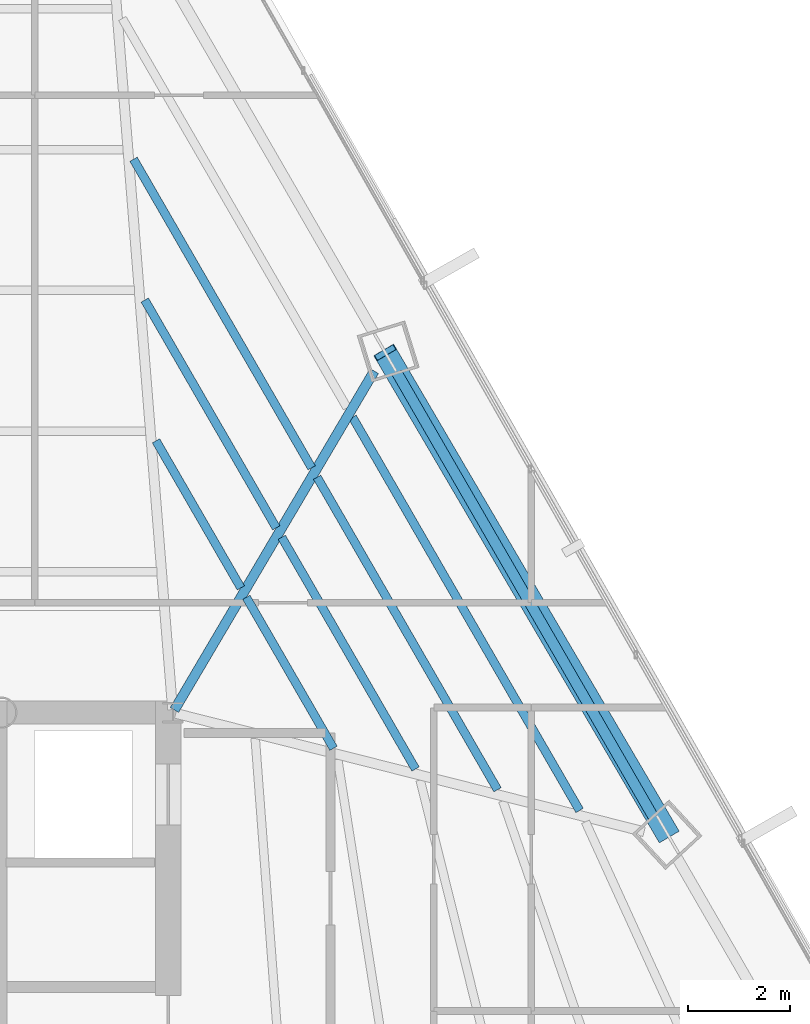
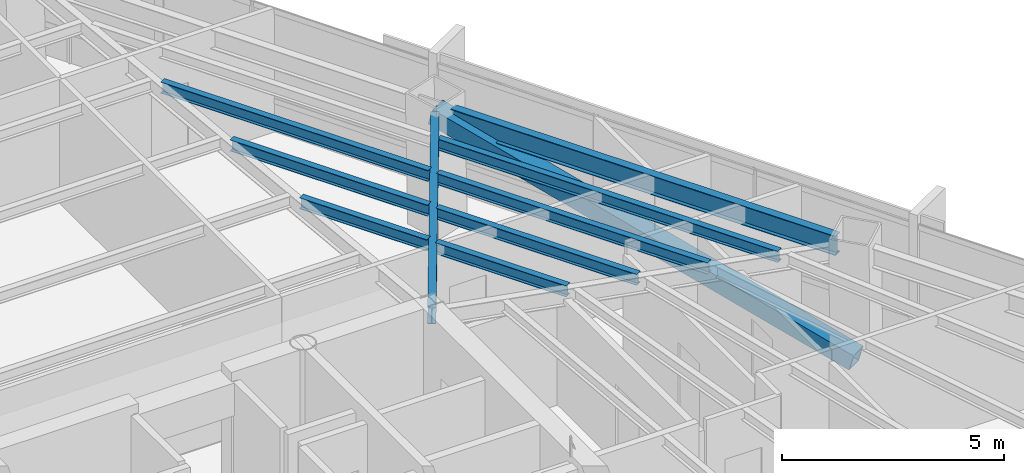
# One storey, part 24 of 38: 9 beams, 1 member.
"""IFC4 building model written with IfcOpenShell, lengths in metres."""

from ifc_helpers import new_model, si_unit, direction, frame, origin, origin_2d, place, context, subcontext, project, spatial, hollow_rectangle, i_section, extrude, source, transform, mapped, material, material_profile, profile_set, type_object, type_shapes, element, save


model = new_model("IFC4")

# Units and contexts
model_context = context("Model", 3, precision=1e-05, world=origin(), true_north=direction((0.0, 1.0)))
body_context = subcontext(model_context, "Body", "Model", "MODEL_VIEW")
ifc_project = project(units=[si_unit("LENGTHUNIT", "METRE"), si_unit("AREAUNIT", "SQUARE_METRE"), si_unit("VOLUMEUNIT", "CUBIC_METRE"), si_unit("PLANEANGLEUNIT", "RADIAN"), si_unit("MASSUNIT", "GRAM", prefix="KILO")], contexts=[model_context])

# Site, building, storey
site_placement = place(None, origin())
site = spatial("IfcSite", under=ifc_project, at=site_placement, CompositionType="ELEMENT")
building_placement = place(site_placement, origin())
building = spatial("IfcBuilding", under=site, at=building_placement, Name="Caelisora Broadcast Tower", CompositionType="ELEMENT")
storey_placement = place(building_placement, frame((0.0, 0.0, 154.85009765625)))
storey = spatial("IfcBuildingStorey", under=building, at=storey_placement, Name="L40", CompositionType="ELEMENT", Elevation=154.85009765625)

# Beams
ifc_material_1 = material(Name="Steel Grade 350 (AS/NZS 3679.1)", Category="steel")
ifc_material_profile_1 = material_profile(ifc_material_1, i_section(OverallWidth=0.208984375, OverallDepth=0.532958984375, WebThickness=0.01025390625, FlangeThickness=0.015625, at=origin_2d()), Name="Steel Grade 350 (AS/NZS 3679.1)")
ifc_profile_set_1 = profile_set([ifc_material_profile_1], Name="Steel Grade 350 (AS/NZS 3679.1)")
beam_type_1 = type_object("IfcBeamType", Name="PG05", PredefinedType="BEAM", material=ifc_profile_set_1)
shared_shape_1 = source(origin(), body_context, "Body", "SweptSolid", [
    extrude(i_section(OverallWidth=0.208984375, OverallDepth=0.532958984375, WebThickness=0.01025390625, FlangeThickness=0.015625, at=origin_2d()), origin(), (0.0, 0.0, 1.0), 10.01025390625),
])
type_shapes(beam_type_1, [shared_shape_1])
beam_1_placement = place(storey_placement, frame((54.884765625, 27.968994140625, 3.13330078125), z_axis=(-0.499997609114, 0.866026784159, 0.0), x_axis=(-0.866026784159, -0.499997609114, 0.0)))
element("IfcBeam", 1, at=beam_1_placement, inside=storey, type_object=beam_type_1, Name="L40 beam PG05", PredefinedType="BEAM", context=body_context, shape_type="MappedRepresentation", body=[
    mapped(shared_shape_1, transform((0.0, 0.0, 0.0), scale=1.0)),
])
ifc_material_profile_2 = material_profile(ifc_material_1, i_section(OverallWidth=0.19091796875, OverallDepth=0.46044921875, WebThickness=0.010009765625, FlangeThickness=0.01611328125, at=origin_2d()), Name="Steel Grade 350 (AS/NZS 3679.1)")
ifc_profile_set_2 = profile_set([ifc_material_profile_2], Name="Steel Grade 350 (AS/NZS 3679.1)")
beam_type_2 = type_object("IfcBeamType", Name="PG06", PredefinedType="BEAM", material=ifc_profile_set_2)
shared_shape_2 = source(origin(), body_context, "Body", "SweptSolid", [
    extrude(i_section(OverallWidth=0.19091796875, OverallDepth=0.46044921875, WebThickness=0.010009765625, FlangeThickness=0.01611328125, at=origin_2d()), origin(), (0.0, 0.0, 1.0), 7.68896484375),
])
type_shapes(beam_type_2, [shared_shape_2])
beam_2_placement = place(storey_placement, frame((45.530517578125, 30.0517578125, 3.169677734375), z_axis=(0.507971730426, 0.861373740654, 0.0), x_axis=(-0.861373740654, 0.507971730426, 0.0)))
element("IfcBeam", 2, at=beam_2_placement, inside=storey, type_object=beam_type_2, Name="L40 beam PG06", PredefinedType="BEAM", context=body_context, shape_type="MappedRepresentation", body=[
    mapped(shared_shape_2, transform((0.0, 0.0, 0.0), scale=1.0)),
])
ifc_material_profile_3 = material_profile(ifc_material_1, i_section(OverallWidth=0.166015625, OverallDepth=0.30712890625, WebThickness=0.006591796875, FlangeThickness=0.01171875, at=origin_2d()), Name="Steel Grade 350 (AS/NZS 3679.1)")
ifc_profile_set_3 = profile_set([ifc_material_profile_3], Name="Steel Grade 350 (AS/NZS 3679.1)")
beam_type_3 = type_object("IfcBeamType", Name="SB03", PredefinedType="JOIST", material=ifc_profile_set_3)
shared_shape_3 = source(origin(), body_context, "Body", "SweptSolid", [
    extrude(i_section(OverallWidth=0.166015625, OverallDepth=0.30712890625, WebThickness=0.006591796875, FlangeThickness=0.01171875, at=origin_2d()), origin(), (0.0, 0.0, 1.0), 3.3173828125),
])
beam_3_placement = place(storey_placement, frame((46.829833984375, 32.43798828125, 3.246337890625), z_axis=(-0.500017629075, 0.866015225394, 0.0), x_axis=(-0.866015225394, -0.500017629075, 0.0)))
element("IfcBeam", 3, at=beam_3_placement, inside=storey, type_object=beam_type_3, Name="L40 beam SB03", PredefinedType="JOIST", context=body_context, shape_type="MappedRepresentation", body=[
    mapped(shared_shape_3, transform((0.0, 0.0, 0.0), scale=1.0)),
])
shared_shape_4 = source(origin(), body_context, "Body", "SweptSolid", [
    extrude(i_section(OverallWidth=0.166015625, OverallDepth=0.30712890625, WebThickness=0.006591796875, FlangeThickness=0.01171875, at=origin_2d()), origin(), (0.0, 0.0, 1.0), 5.13916015625),
])
beam_4_placement = place(storey_placement, frame((47.521484375, 33.610595703125, 3.246337890625), z_axis=(-0.499996600708, 0.866027366358, 0.0), x_axis=(-0.866027366358, -0.499996600708, 0.0)))
element("IfcBeam", 4, at=beam_4_placement, inside=storey, type_object=beam_type_3, Name="L40 beam SB03", PredefinedType="JOIST", context=body_context, shape_type="MappedRepresentation", body=[
    mapped(shared_shape_4, transform((0.0, 0.0, 0.0), scale=1.0)),
])
shared_shape_5 = source(origin(), body_context, "Body", "SweptSolid", [
    extrude(i_section(OverallWidth=0.166015625, OverallDepth=0.30712890625, WebThickness=0.006591796875, FlangeThickness=0.01171875, at=origin_2d()), origin(), (0.0, 0.0, 1.0), 6.9609375),
])
beam_5_placement = place(storey_placement, frame((48.213134765625, 34.783447265625, 3.246337890625), z_axis=(-0.50000176645, 0.866024383922, 0.0), x_axis=(-0.866024383922, -0.50000176645, 0.0)))
element("IfcBeam", 5, at=beam_5_placement, inside=storey, type_object=beam_type_3, Name="L40 beam SB03", PredefinedType="JOIST", context=body_context, shape_type="MappedRepresentation", body=[
    mapped(shared_shape_5, transform((0.0, 0.0, 0.0), scale=1.0)),
])
shared_shape_6 = source(origin(), body_context, "Body", "SweptSolid", [
    extrude(i_section(OverallWidth=0.166015625, OverallDepth=0.30712890625, WebThickness=0.006591796875, FlangeThickness=0.01171875, at=origin_2d()), origin(), (0.0, 0.0, 1.0), 3.40673828125),
])
beam_6_placement = place(storey_placement, frame((48.639892578125, 29.302978515625, 3.246337890625), z_axis=(-0.500016089749, 0.866016114164, 0.0), x_axis=(-0.866016114164, -0.500016089749, 0.0)))
element("IfcBeam", 6, at=beam_6_placement, inside=storey, type_object=beam_type_3, Name="L40 beam SB03", PredefinedType="JOIST", context=body_context, shape_type="MappedRepresentation", body=[
    mapped(shared_shape_6, transform((0.0, 0.0, 0.0), scale=1.0)),
])
shared_shape_7 = source(origin(), body_context, "Body", "SweptSolid", [
    extrude(i_section(OverallWidth=0.166015625, OverallDepth=0.30712890625, WebThickness=0.006591796875, FlangeThickness=0.01171875, at=origin_2d()), origin(), (0.0, 0.0, 1.0), 5.22802734375),
])
beam_7_placement = place(storey_placement, frame((50.2421875, 28.898193359375, 3.246337890625), z_axis=(-0.500001374964, 0.866024609947, 0.0), x_axis=(-0.866024609947, -0.500001374964, 0.0)))
element("IfcBeam", 7, at=beam_7_placement, inside=storey, type_object=beam_type_3, Name="L40 beam SB03", PredefinedType="JOIST", context=body_context, shape_type="MappedRepresentation", body=[
    mapped(shared_shape_7, transform((0.0, 0.0, 0.0), scale=1.0)),
])
shared_shape_8 = source(origin(), body_context, "Body", "SweptSolid", [
    extrude(i_section(OverallWidth=0.166015625, OverallDepth=0.30712890625, WebThickness=0.006591796875, FlangeThickness=0.01171875, at=origin_2d()), origin(), (0.0, 0.0, 1.0), 7.050048828125),
])
beam_8_placement = place(storey_placement, frame((51.8447265625, 28.4931640625, 3.246337890625), z_axis=(-0.499990246421, 0.866031034943, 0.0), x_axis=(-0.866031034943, -0.499990246421, 0.0)))
element("IfcBeam", 8, at=beam_8_placement, inside=storey, type_object=beam_type_3, Name="L40 beam SB03", PredefinedType="JOIST", context=body_context, shape_type="MappedRepresentation", body=[
    mapped(shared_shape_8, transform((0.0, 0.0, 0.0), scale=1.0)),
])
shared_shape_9 = source(origin(), body_context, "Body", "SweptSolid", [
    extrude(i_section(OverallWidth=0.166015625, OverallDepth=0.30712890625, WebThickness=0.006591796875, FlangeThickness=0.01171875, at=origin_2d()), origin(), (0.0, 0.0, 1.0), 8.871337890625),
])
type_shapes(beam_type_3, [shared_shape_3, shared_shape_4, shared_shape_5, shared_shape_6, shared_shape_7, shared_shape_8, shared_shape_9])
beam_9_placement = place(storey_placement, frame((53.447265625, 28.08837890625, 3.246337890625), z_axis=(-0.500007520711, 0.866021061657, 0.0), x_axis=(-0.866021061657, -0.500007520711, 0.0)))
element("IfcBeam", 9, at=beam_9_placement, inside=storey, type_object=beam_type_3, Name="L40 beam SB03", PredefinedType="JOIST", context=body_context, shape_type="MappedRepresentation", body=[
    mapped(shared_shape_9, transform((0.0, 0.0, 0.0), scale=1.0)),
])

# Member
ifc_material_2 = material(Name="Steel Grade 450 (AS/NZS 1163 C450L0)", Category="steel")
ifc_material_profile_4 = material_profile(ifc_material_2, hollow_rectangle(XDim=0.449951171875, YDim=0.449951171875, WallThickness=0.01611328125, at=origin_2d()), Name="Steel Grade 450 (AS/NZS 1163 C450L0)")
ifc_profile_set_4 = profile_set([ifc_material_profile_4], Name="Steel Grade 450 (AS/NZS 1163 C450L0)")
member_type = type_object("IfcMemberType", Name="BR03", PredefinedType="BRACE", material=ifc_profile_set_4)
shared_shape_10 = source(origin(), body_context, "Body", "SweptSolid", [
    extrude(hollow_rectangle(XDim=0.449951171875, YDim=0.449951171875, WallThickness=0.01611328125, at=origin_2d()), origin(), (0.0, 0.0, 1.0), 11.31884765625),
])
type_shapes(member_type, [shared_shape_10])
member_placement = place(storey_placement, frame((55.169189453125, 27.62109375, 0.099853515625), z_axis=(-0.487638707526, 0.831841577956, 0.265043543793), x_axis=(-0.862694604785, -0.505725240496, 0.0)))
element("IfcMember", 10, at=member_placement, inside=storey, type_object=member_type, Name="L40 perimeter brace BR03", PredefinedType="BRACE", context=body_context, shape_type="MappedRepresentation", body=[
    mapped(shared_shape_10, transform((0.0, 0.0, 0.0), scale=1.0)),
])

save(model, "model.ifc")
